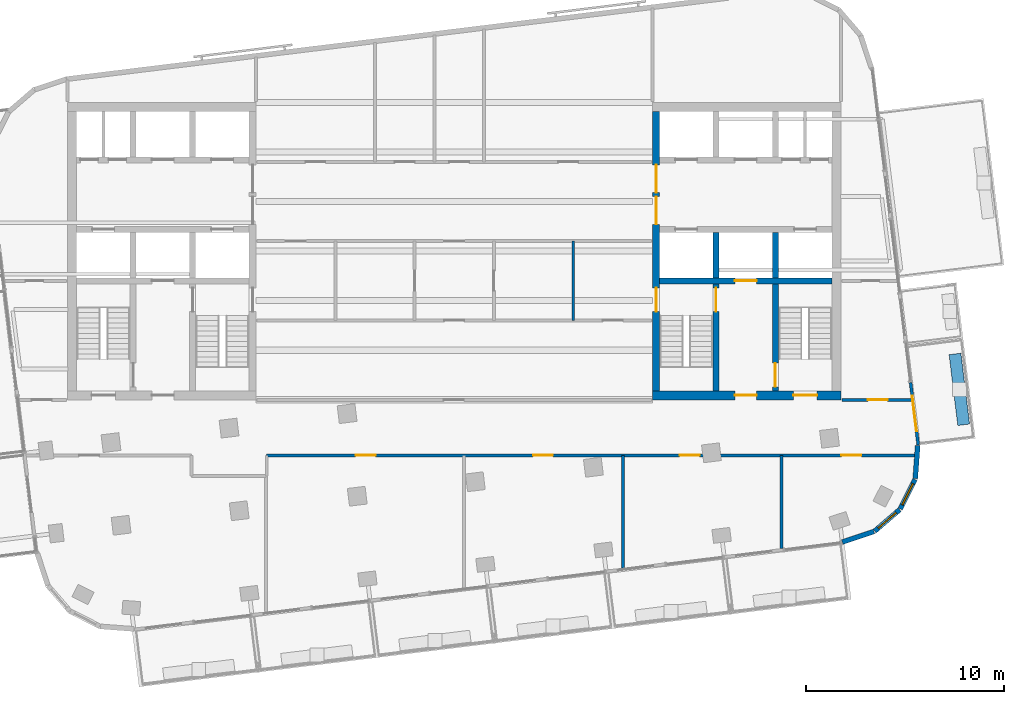
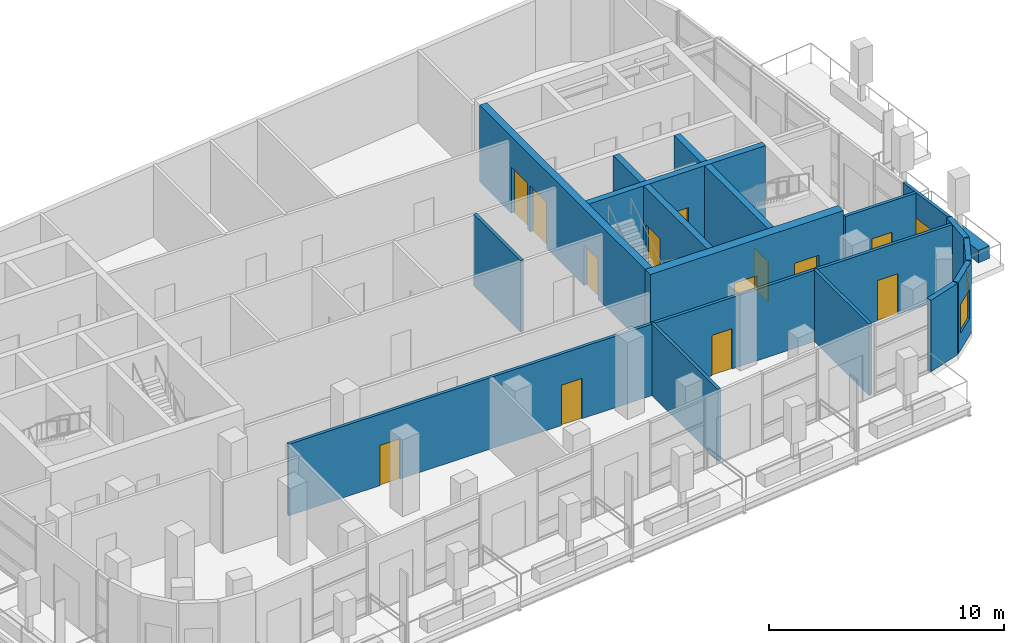
# One storey, part 9 of 14: 18 walls, 14 doors, 2 windows, 16 openings.
"""IFC4 building model written with IfcOpenShell, lengths in metres."""

from ifc_helpers import new_model, si_unit, direction, frame, frame_2d, origin, place, context, subcontext, project, spatial, rectangle, extrude, material, layer, layer_set, type_object, element, fill, save


model = new_model("IFC4")

# Units and contexts
model_context = context("Model", 3, precision=1e-05, world=origin(), true_north=direction((0.0, 1.0)))
body_context = subcontext(model_context, "Body", "Model", "MODEL_VIEW")
ifc_project = project(units=[si_unit("LENGTHUNIT", "METRE"), si_unit("AREAUNIT", "SQUARE_METRE"), si_unit("VOLUMEUNIT", "CUBIC_METRE"), si_unit("PLANEANGLEUNIT", "RADIAN"), si_unit("MASSUNIT", "GRAM", prefix="KILO")], contexts=[model_context])

# Site, building, storey
site_placement = place(None, origin())
site = spatial("IfcSite", under=ifc_project, at=site_placement, CompositionType="ELEMENT")
building_placement = place(site_placement, origin())
building = spatial("IfcBuilding", under=site, at=building_placement, Name="Torana Hotel and Residences", CompositionType="ELEMENT")
storey_placement = place(building_placement, frame((0.0, 0.0, 338.60009765625)))
storey = spatial("IfcBuildingStorey", under=building, at=storey_placement, Name="L89", CompositionType="ELEMENT", Elevation=338.60009765625)

# Wall, opening, door
ifc_material_1 = material(Name="Concrete C60/75", Category="concrete")
ifc_layer_1 = layer(ifc_material_1, 0.300048828125)
ifc_layer_set_1 = layer_set([ifc_layer_1], Name="CORE WALL 300 C60/75")
wall_type_1 = type_object("IfcWallType", Name="CORE WALL 300 C60/75", PredefinedType="SHEAR", material=ifc_layer_set_1)
wall_1_placement = place(storey_placement, frame((10.35009765625, -9.0, 0.0), z_axis=(0.0, 0.0, 1.0), x_axis=(1.0, 0.0, 0.0)))
wall_1 = element("IfcWall", 1, at=wall_1_placement, inside=storey, type_object=wall_type_1, Name="Core wall E band", PredefinedType="SHEAR", context=body_context, shape_type="SweptSolid", body=[
    extrude(rectangle(XDim=8.699951171875, YDim=0.300048828125, at=frame_2d((4.35009765625, 0.0))), origin(), (0.0, 0.0, 1.0), 4.0),
])
opening_1_placement = place(wall_1_placement, frame((3.800048828125, 0.0, 0.0)))
opening_1 = element("IfcOpeningElement", 2, at=opening_1_placement, cuts=wall_1, Name="Opening LD", PredefinedType="OPENING", context=body_context, shape_type="SweptSolid", body=[
    extrude(rectangle(XDim=1.10009765625, YDim=2.10009765625, at=frame_2d((0.550048828125, 1.050048828125))), frame((0.0, 0.159912109375, 0.0), z_axis=(0.0, -1.0, 0.0), x_axis=(1.0, 0.0, 0.0)), (0.0, 0.0, 1.0), 0.320068359375),
])
ifc_material_2 = material(Name="Stainless steel 316", Category="steel")
door_type_1 = type_object("IfcDoorType", Name="LIFT LANDING DOOR LD 1100x2100", OperationType="DOUBLE_DOOR_SLIDING", PredefinedType="USERDEFINED", material=ifc_material_2)
door_1_placement = place(opening_1_placement, origin())
door_1 = element("IfcDoor", 3, at=door_1_placement, inside=storey, type_object=door_type_1, Name="Lift landing door FF2 L89", ObjectType="LIFT LANDING DOOR", OperationType="DOUBLE_DOOR_SLIDING", OverallHeight=2.10009765625, OverallWidth=1.10009765625, PredefinedType="USERDEFINED", context=body_context, shape_type="SweptSolid", body=[
    extrude(rectangle(XDim=1.10009765625, YDim=2.10009765625, at=frame_2d((0.550048828125, 1.050048828125))), frame((0.0, 0.02490234375, 0.0), z_axis=(0.0, -1.0, 0.0), x_axis=(1.0, 0.0, 0.0)), (0.0, 0.0, 1.0), 0.050048828125),
])
fill(opening_1, door_1)

# Wall
wall_2_placement = place(storey_placement, frame((13.199951171875, -8.85009765625, 0.0), z_axis=(0.0, 0.0, 1.0), x_axis=(0.0, 1.0, 0.0)))
element("IfcWall", 4, at=wall_2_placement, inside=storey, type_object=wall_type_1, Name="Core wall E x3.05-S", PredefinedType="SHEAR", context=body_context, shape_type="SweptSolid", body=[
    extrude(rectangle(XDim=2.300048828125, YDim=0.300048828125, at=frame_2d((1.14990234375, 0.0))), origin(), (0.0, 0.0, 1.0), 4.0),
])

# Wall, opening, door
wall_3_placement = place(storey_placement, frame((13.199951171875, -14.550048828125, 0.0), z_axis=(0.0, 0.0, 1.0), x_axis=(0.0, 1.0, 0.0)))
wall_3 = element("IfcWall", 5, at=wall_3_placement, inside=storey, type_object=wall_type_1, Name="Core wall E x3.05-band", PredefinedType="SHEAR", context=body_context, shape_type="SweptSolid", body=[
    extrude(rectangle(XDim=5.400146484375, YDim=0.300048828125, at=frame_2d((2.7001953125, 0.0))), origin(), (0.0, 0.0, 1.0), 4.0),
])
opening_2_placement = place(wall_3_placement, frame((4.0, 0.0, 0.0)))
opening_2 = element("IfcOpeningElement", 6, at=opening_2_placement, cuts=wall_3, Name="Opening L89-17", PredefinedType="OPENING", context=body_context, shape_type="SweptSolid", body=[
    extrude(rectangle(XDim=1.199951171875, YDim=2.10009765625, at=frame_2d((0.60009765625, 1.050048828125))), frame((0.0, 0.159912109375, 0.0), z_axis=(0.0, -1.0, 0.0), x_axis=(1.0, 0.0, 0.0)), (0.0, 0.0, 1.0), 0.320068359375),
])
ifc_material_3 = material(Name="Steel S235", Category="steel")
door_type_2 = type_object("IfcDoorType", Name="STAIR FIRE DOOR D3 1200x2100", OperationType="SINGLE_SWING_LEFT", PredefinedType="DOOR", material=ifc_material_3)
door_2_placement = place(opening_2_placement, origin())
door_2 = element("IfcDoor", 7, at=door_2_placement, inside=storey, type_object=door_type_2, Name="Stair-A-lobby door L89", OperationType="SINGLE_SWING_LEFT", OverallHeight=2.10009765625, OverallWidth=1.199951171875, PredefinedType="DOOR", context=body_context, shape_type="SweptSolid", body=[
    extrude(rectangle(XDim=1.199951171875, YDim=2.10009765625, at=frame_2d((0.60009765625, 1.050048828125))), frame((0.0, 0.02490234375, 0.0), z_axis=(0.0, -1.0, 0.0), x_axis=(1.0, 0.0, 0.0)), (0.0, 0.0, 1.0), 0.050048828125),
])
fill(opening_2, door_2)

# Wall
wall_4_placement = place(storey_placement, frame((16.199951171875, -8.85009765625, 0.0), z_axis=(0.0, 0.0, 1.0), x_axis=(0.0, 1.0, 0.0)))
element("IfcWall", 8, at=wall_4_placement, inside=storey, type_object=wall_type_1, Name="Core wall E x6.05-S", PredefinedType="SHEAR", context=body_context, shape_type="SweptSolid", body=[
    extrude(rectangle(XDim=2.300048828125, YDim=0.300048828125, at=frame_2d((1.14990234375, 0.0))), origin(), (0.0, 0.0, 1.0), 4.0),
])

# Wall, opening, door
wall_5_placement = place(storey_placement, frame((16.199951171875, -14.550048828125, 0.0), z_axis=(0.0, 0.0, 1.0), x_axis=(0.0, 1.0, 0.0)))
wall_5 = element("IfcWall", 9, at=wall_5_placement, inside=storey, type_object=wall_type_1, Name="Core wall E x6.05-band", PredefinedType="SHEAR", context=body_context, shape_type="SweptSolid", body=[
    extrude(rectangle(XDim=5.400146484375, YDim=0.300048828125, at=frame_2d((2.7001953125, 0.0))), origin(), (0.0, 0.0, 1.0), 4.0),
])
opening_3_placement = place(wall_5_placement, frame((0.199951171875, 0.0, 0.0)))
opening_3 = element("IfcOpeningElement", 10, at=opening_3_placement, cuts=wall_5, Name="Opening L89-18", PredefinedType="OPENING", context=body_context, shape_type="SweptSolid", body=[
    extrude(rectangle(XDim=1.199951171875, YDim=2.10009765625, at=frame_2d((0.60009765625, 1.050048828125))), frame((0.0, 0.159912109375, 0.0), z_axis=(0.0, -1.0, 0.0), x_axis=(1.0, 0.0, 0.0)), (0.0, 0.0, 1.0), 0.320068359375),
])
door_3_placement = place(opening_3_placement, frame((0.60009765625, 0.0, 0.0), z_axis=(0.0, 0.0, 1.0), x_axis=(-1.0, 0.0, 0.0)))
door_3 = element("IfcDoor", 11, at=door_3_placement, inside=storey, type_object=door_type_2, Name="Stair-B-lobby door L89", OperationType="SINGLE_SWING_LEFT", OverallHeight=2.10009765625, OverallWidth=1.199951171875, PredefinedType="DOOR", context=body_context, shape_type="SweptSolid", body=[
    extrude(rectangle(XDim=1.199951171875, YDim=2.10009765625, at=frame_2d((0.0, 1.050048828125))), frame((0.0, -0.02490234375, 0.0), z_axis=(0.0, 1.0, 0.0), x_axis=(-1.0, 0.0, 0.0)), (0.0, 0.0, 1.0), 0.050048828125),
])
fill(opening_3, door_3)

# Wall, openings, doors
ifc_material_4 = material(Name="Concrete C60/75", Category="concrete")
ifc_layer_2 = layer(ifc_material_4, 0.35009765625)
ifc_layer_set_2 = layer_set([ifc_layer_2], Name="CORE WALL 350 C60/75")
wall_type_2 = type_object("IfcWallType", Name="CORE WALL 350 C60/75", PredefinedType="SHEAR", material=ifc_layer_set_2)
wall_6_placement = place(storey_placement, frame((10.175048828125, -14.550048828125, 0.0), z_axis=(0.0, 0.0, 1.0), x_axis=(0.0, 1.0, 0.0)))
wall_6 = element("IfcWall", 12, at=wall_6_placement, inside=storey, type_object=wall_type_2, Name="Core wall E arch", PredefinedType="SHEAR", context=body_context, shape_type="SweptSolid", body=[
    extrude(rectangle(XDim=14.10009765625, YDim=0.35009765625, at=frame_2d((7.050048828125, 0.0))), origin(), (0.0, 0.0, 1.0), 4.0),
])
opening_4_placement = place(wall_6_placement, frame((8.39990234375, 0.0, 0.0)))
opening_4 = element("IfcOpeningElement", 13, at=opening_4_placement, cuts=wall_6, Name="Opening L89-10", PredefinedType="OPENING", context=body_context, shape_type="SweptSolid", body=[
    extrude(rectangle(XDim=1.39990234375, YDim=2.39990234375, at=frame_2d((0.699951171875, 1.199951171875))), frame((0.0, 0.18505859375, 0.0), z_axis=(0.0, -1.0, 0.0), x_axis=(1.0, 0.0, 0.0)), (0.0, 0.0, 1.0), 0.3701171875),
])
opening_5_placement = place(wall_6_placement, frame((10.0, 0.0, 0.0)))
opening_5 = element("IfcOpeningElement", 14, at=opening_5_placement, cuts=wall_6, Name="Opening L89-11", PredefinedType="OPENING", context=body_context, shape_type="SweptSolid", body=[
    extrude(rectangle(XDim=1.39990234375, YDim=2.39990234375, at=frame_2d((0.699951171875, 1.199951171875))), frame((0.0, 0.18505859375, 0.0), z_axis=(0.0, -1.0, 0.0), x_axis=(1.0, 0.0, 0.0)), (0.0, 0.0, 1.0), 0.3701171875),
])
opening_6_placement = place(wall_6_placement, frame((4.0, 0.0, 0.0)))
opening_6 = element("IfcOpeningElement", 15, at=opening_6_placement, cuts=wall_6, Name="Opening L89-12", PredefinedType="OPENING", context=body_context, shape_type="SweptSolid", body=[
    extrude(rectangle(XDim=1.199951171875, YDim=2.10009765625, at=frame_2d((0.60009765625, 1.050048828125))), frame((0.0, 0.18505859375, 0.0), z_axis=(0.0, -1.0, 0.0), x_axis=(1.0, 0.0, 0.0)), (0.0, 0.0, 1.0), 0.3701171875),
])
ifc_material_5 = material(Name="Steel S235", Category="steel")
door_type_3 = type_object("IfcDoorType", Name="LOBBY FIRE DOOR D4 1400x2400", OperationType="DOUBLE_DOOR_SINGLE_SWING", PredefinedType="DOOR", material=ifc_material_5)
door_4_placement = place(opening_4_placement, origin())
door_4 = element("IfcDoor", 16, at=door_4_placement, inside=storey, type_object=door_type_3, Name="Lobby-1 door L89", OperationType="DOUBLE_DOOR_SINGLE_SWING", OverallHeight=2.39990234375, OverallWidth=1.39990234375, PredefinedType="DOOR", context=body_context, shape_type="SweptSolid", body=[
    extrude(rectangle(XDim=1.39990234375, YDim=2.39990234375, at=frame_2d((0.699951171875, 1.199951171875))), frame((0.0, 0.02490234375, 0.0), z_axis=(0.0, -1.0, 0.0), x_axis=(1.0, 0.0, 0.0)), (0.0, 0.0, 1.0), 0.050048828125),
])
fill(opening_4, door_4)
door_5_placement = place(opening_5_placement, origin())
door_5 = element("IfcDoor", 17, at=door_5_placement, inside=storey, type_object=door_type_3, Name="Lobby-2 door L89", OperationType="DOUBLE_DOOR_SINGLE_SWING", OverallHeight=2.39990234375, OverallWidth=1.39990234375, PredefinedType="DOOR", context=body_context, shape_type="SweptSolid", body=[
    extrude(rectangle(XDim=1.39990234375, YDim=2.39990234375, at=frame_2d((0.699951171875, 1.199951171875))), frame((0.0, 0.02490234375, 0.0), z_axis=(0.0, -1.0, 0.0), x_axis=(1.0, 0.0, 0.0)), (0.0, 0.0, 1.0), 0.050048828125),
])
fill(opening_5, door_5)
door_6_placement = place(opening_6_placement, frame((0.60009765625, 0.0, 0.0), z_axis=(0.0, 0.0, 1.0), x_axis=(-1.0, 0.0, 0.0)))
door_6 = element("IfcDoor", 18, at=door_6_placement, inside=storey, type_object=door_type_2, Name="Stair-A door L89", OperationType="SINGLE_SWING_RIGHT", OverallHeight=2.10009765625, OverallWidth=1.199951171875, PredefinedType="DOOR", context=body_context, shape_type="SweptSolid", body=[
    extrude(rectangle(XDim=1.199951171875, YDim=2.10009765625, at=frame_2d((0.0, 1.050048828125))), frame((0.0, -0.02490234375, 0.0), z_axis=(0.0, 1.0, 0.0), x_axis=(-1.0, 0.0, 0.0)), (0.0, 0.0, 1.0), 0.050048828125),
])
fill(opening_6, door_6)

ifc_material_6 = material(Name="Concrete C60/75", Category="concrete")
ifc_layer_3 = layer(ifc_material_6, 0.449951171875)
ifc_layer_set_3 = layer_set([ifc_layer_3], Name="CORE WALL 450 C60/75")
wall_type_3 = type_object("IfcWallType", Name="CORE WALL 450 C60/75", PredefinedType="SHEAR", material=ifc_layer_set_3)
wall_7_placement = place(storey_placement, frame((10.0, -14.77490234375, 0.0), z_axis=(0.0, 0.0, 1.0), x_axis=(1.0, 0.0, 0.0)))
wall_7 = element("IfcWall", 19, at=wall_7_placement, inside=storey, type_object=wall_type_3, Name="Core wall E front", PredefinedType="SHEAR", context=body_context, shape_type="SweptSolid", body=[
    extrude(rectangle(XDim=9.5, YDim=0.449951171875, at=frame_2d((4.75, 0.0))), origin(), (0.0, 0.0, 1.0), 4.0),
])
opening_7_placement = place(wall_7_placement, frame((7.10009765625, 0.0, 0.0)))
opening_7 = element("IfcOpeningElement", 20, at=opening_7_placement, cuts=wall_7, Name="Opening L89-13", PredefinedType="OPENING", context=body_context, shape_type="SweptSolid", body=[
    extrude(rectangle(XDim=1.199951171875, YDim=2.10009765625, at=frame_2d((0.60009765625, 1.050048828125))), frame((0.0, 0.23486328125, 0.0), z_axis=(0.0, -1.0, 0.0), x_axis=(1.0, 0.0, 0.0)), (0.0, 0.0, 1.0), 0.469970703125),
])
opening_8_placement = place(wall_7_placement, frame((4.14990234375, 0.0, 0.0)))
opening_8 = element("IfcOpeningElement", 21, at=opening_8_placement, cuts=wall_7, Name="Opening L89-14", PredefinedType="OPENING", context=body_context, shape_type="SweptSolid", body=[
    extrude(rectangle(XDim=1.10009765625, YDim=2.10009765625, at=frame_2d((0.550048828125, 1.050048828125))), frame((0.0, 0.23486328125, 0.0), z_axis=(0.0, -1.0, 0.0), x_axis=(1.0, 0.0, 0.0)), (0.0, 0.0, 1.0), 0.469970703125),
])
ifc_material_7 = material(Name="Steel S235", Category="steel")
door_type_4 = type_object("IfcDoorType", Name="FIRE-FIGHTING LOBBY DOOR D8 1100x2100", OperationType="SINGLE_SWING_LEFT", PredefinedType="DOOR", material=ifc_material_7)
door_7_placement = place(opening_8_placement, origin())
door_7 = element("IfcDoor", 22, at=door_7_placement, inside=storey, type_object=door_type_4, Name="FF-lobby door L89", OperationType="SINGLE_SWING_RIGHT", OverallHeight=2.10009765625, OverallWidth=1.10009765625, PredefinedType="DOOR", context=body_context, shape_type="SweptSolid", body=[
    extrude(rectangle(XDim=1.10009765625, YDim=2.10009765625, at=frame_2d((0.550048828125, 1.050048828125))), frame((0.0, 0.02490234375, 0.0), z_axis=(0.0, -1.0, 0.0), x_axis=(1.0, 0.0, 0.0)), (0.0, 0.0, 1.0), 0.050048828125),
])
fill(opening_8, door_7)
door_8_placement = place(opening_7_placement, origin())
door_8 = element("IfcDoor", 23, at=door_8_placement, inside=storey, type_object=door_type_2, Name="Stair-B door L89", OperationType="SINGLE_SWING_RIGHT", OverallHeight=2.10009765625, OverallWidth=1.199951171875, PredefinedType="DOOR", context=body_context, shape_type="SweptSolid", body=[
    extrude(rectangle(XDim=1.199951171875, YDim=2.10009765625, at=frame_2d((0.60009765625, 1.050048828125))), frame((0.0, 0.02490234375, 0.0), z_axis=(0.0, -1.0, 0.0), x_axis=(1.0, 0.0, 0.0)), (0.0, 0.0, 1.0), 0.050048828125),
])
fill(opening_7, door_8)

# Wall
ifc_material_8 = material(Name="Black aluminium composite panel", Category="aluminium")
ifc_layer_4 = layer(ifc_material_8, 0.00390625, Name="Cladding", Category="cladding")
ifc_material_9 = material(Name="Ventilated air cavity")
ifc_layer_5 = layer(ifc_material_9, 0.0400390625, Name="Ventilated cavity", Category="cavity")
ifc_material_10 = material(Name="Mineral wool insulation")
ifc_layer_6 = layer(ifc_material_10, 0.090087890625, Name="Insulation", Category="insulation")
ifc_material_11 = material(Name="Steel S280GD", Category="steel")
ifc_layer_7 = layer(ifc_material_11, 0.092041015625, Name="Steel stud frame", Category="structure")
ifc_material_12 = material(Name="Fire rated plasterboard")
ifc_layer_8 = layer(ifc_material_12, 0.011962890625, Name="Inner board", Category="finish")
ifc_layer_9 = layer(ifc_material_12, 0.011962890625, Name="Second board", Category="finish")
ifc_layer_set_4 = layer_set([ifc_layer_4, ifc_layer_5, ifc_layer_6, ifc_layer_7, ifc_layer_8, ifc_layer_9], Name="EW1 EXTERNAL WALL BLACK METAL CLAD 250")
wall_type_4 = type_object("IfcWallType", Name="EW1 EXTERNAL WALL BLACK METAL CLAD 250", PredefinedType="SOLIDWALL", material=ifc_layer_set_4)
wall_8_placement = place(storey_placement, frame((19.568359375, -22.1748046875, 0.0), z_axis=(0.0, 0.0, 1.0), x_axis=(0.949694735798, 0.313177120489, 0.0)))
element("IfcWall", 24, at=wall_8_placement, inside=storey, type_object=wall_type_4, Name="External wall L89 e0.15", PredefinedType="SOLIDWALL", context=body_context, shape_type="SweptSolid", body=[
    extrude(rectangle(XDim=1.681396484375, YDim=0.25, at=frame_2d((0.8408203125, 0.0))), origin(), (0.0, 0.0, 1.0), 3.719970703125),
])

# Wall, opening, window
wall_9_placement = place(storey_placement, frame((21.207763671875, -21.624267578125, 0.0), z_axis=(0.0, 0.0, 1.0), x_axis=(0.757568315466, 0.652755886531, 0.0)))
wall_9 = element("IfcWall", 25, at=wall_9_placement, inside=storey, type_object=wall_type_4, Name="External wall L89 e0.16", PredefinedType="SOLIDWALL", context=body_context, shape_type="SweptSolid", body=[
    extrude(rectangle(XDim=1.65625, YDim=0.25, at=frame_2d((0.828125, 0.0))), origin(), (0.0, 0.0, 1.0), 3.719970703125),
])
opening_9_placement = place(wall_9_placement, frame((0.228271484375, 0.0, 0.89990234375)))
opening_9 = element("IfcOpeningElement", 26, at=opening_9_placement, cuts=wall_9, Name="Opening W5", PredefinedType="OPENING", context=body_context, shape_type="SweptSolid", body=[
    extrude(rectangle(XDim=1.199951171875, YDim=1.5, at=frame_2d((0.60009765625, 0.75))), frame((0.0, 0.135009765625, 0.0), z_axis=(0.0, -1.0, 0.0), x_axis=(1.0, 0.0, 0.0)), (0.0, 0.0, 1.0), 0.27001953125),
])
ifc_material_13 = material(Name="Dark glass in black aluminium frame", Category="aluminium")
window_type = type_object("IfcWindowType", Name="W5 CORNER FACET WINDOW 1200x1500", PartitioningType="SINGLE_PANEL", PredefinedType="WINDOW", material=ifc_material_13)
window_1_placement = place(opening_9_placement, origin())
window_1 = element("IfcWindow", 27, at=window_1_placement, inside=storey, type_object=window_type, Name="Window L89 e0.16", OverallHeight=1.5, OverallWidth=1.199951171875, PartitioningType="SINGLE_PANEL", PredefinedType="WINDOW", context=body_context, shape_type="SweptSolid", body=[
    extrude(rectangle(XDim=1.199951171875, YDim=1.5, at=frame_2d((0.60009765625, 0.75))), frame((0.0, 0.030029296875, 0.0), z_axis=(0.0, -1.0, 0.0), x_axis=(1.0, 0.0, 0.0)), (0.0, 0.0, 1.0), 0.06005859375),
])
fill(opening_9, window_1)

wall_10_placement = place(storey_placement, frame((22.49267578125, -20.504638671875, 0.0), z_axis=(0.0, 0.0, 1.0), x_axis=(0.449982385812, 0.893037430604, 0.0)))
wall_10 = element("IfcWall", 28, at=wall_10_placement, inside=storey, type_object=wall_type_4, Name="External wall L89 e0.17", PredefinedType="SOLIDWALL", context=body_context, shape_type="SweptSolid", body=[
    extrude(rectangle(XDim=1.656494140625, YDim=0.25, at=frame_2d((0.828125, 0.0))), origin(), (0.0, 0.0, 1.0), 3.719970703125),
])
opening_10_placement = place(wall_10_placement, frame((0.228271484375, 0.0, 0.89990234375)))
opening_10 = element("IfcOpeningElement", 29, at=opening_10_placement, cuts=wall_10, Name="Opening W5", PredefinedType="OPENING", context=body_context, shape_type="SweptSolid", body=[
    extrude(rectangle(XDim=1.199951171875, YDim=1.5, at=frame_2d((0.60009765625, 0.75))), frame((0.0, 0.135009765625, 0.0), z_axis=(0.0, -1.0, 0.0), x_axis=(1.0, 0.0, 0.0)), (0.0, 0.0, 1.0), 0.27001953125),
])
window_2_placement = place(opening_10_placement, origin())
window_2 = element("IfcWindow", 30, at=window_2_placement, inside=storey, type_object=window_type, Name="Window L89 e0.17", OverallHeight=1.5, OverallWidth=1.199951171875, PartitioningType="SINGLE_PANEL", PredefinedType="WINDOW", context=body_context, shape_type="SweptSolid", body=[
    extrude(rectangle(XDim=1.199951171875, YDim=1.5, at=frame_2d((0.60009765625, 0.75))), frame((0.0, 0.030029296875, 0.0), z_axis=(0.0, -1.0, 0.0), x_axis=(1.0, 0.0, 0.0)), (0.0, 0.0, 1.0), 0.06005859375),
])
fill(opening_10, window_2)

# Wall
wall_11_placement = place(storey_placement, frame((23.251220703125, -18.978515625, 0.0), z_axis=(0.0, 0.0, 1.0), x_axis=(0.074053534713, 0.997254267475, 0.0)))
element("IfcWall", 31, at=wall_11_placement, inside=storey, type_object=wall_type_4, Name="External wall L89 e0.18", PredefinedType="SOLIDWALL", context=body_context, shape_type="SweptSolid", body=[
    extrude(rectangle(XDim=1.681396484375, YDim=0.25, at=frame_2d((0.8408203125, 0.0))), origin(), (0.0, 0.0, 1.0), 3.719970703125),
])

# Wall, openings, doors
ifc_material_14 = material(Name="Gypsum plaster")
ifc_layer_10 = layer(ifc_material_14, 0.014892578125, Name="Plaster", Category="finish")
ifc_material_15 = material(Name="Concrete blockwork", Category="masonry")
ifc_layer_11 = layer(ifc_material_15, 0.1201171875, Name="Blockwork", Category="structure")
ifc_layer_12 = layer(ifc_material_14, 0.014892578125, Name="Plaster", Category="finish")
ifc_layer_set_5 = layer_set([ifc_layer_10, ifc_layer_11, ifc_layer_12], Name="FIRE PARTITION 150 BLOCKWORK")
wall_type_5 = type_object("IfcWallType", Name="FIRE PARTITION 150 BLOCKWORK", PredefinedType="PARTITIONING", material=ifc_layer_set_5)
wall_12_placement = place(storey_placement, frame((-9.4609375, -17.800048828125, 0.0), z_axis=(0.0, 0.0, 1.0), x_axis=(1.0, 0.0, 0.0)))
wall_12 = element("IfcWall", 32, at=wall_12_placement, inside=storey, type_object=wall_type_5, Name="Partition L89", PredefinedType="PARTITIONING", context=body_context, shape_type="SweptSolid", body=[
    extrude(rectangle(XDim=32.744384765625, YDim=0.14990234375, at=frame_2d((16.3720703125, 0.0))), origin(), (0.0, 0.0, 1.0), 3.719970703125),
])
opening_11_placement = place(wall_12_placement, frame((4.489013671875, 0.0, 0.0)))
opening_11 = element("IfcOpeningElement", 33, at=opening_11_placement, cuts=wall_12, Name="Opening L89-21", PredefinedType="OPENING", context=body_context, shape_type="SweptSolid", body=[
    extrude(rectangle(XDim=1.0, YDim=2.10009765625, at=frame_2d((0.5, 1.050048828125))), frame((0.0, 0.0849609375, 0.0), z_axis=(0.0, -1.0, 0.0), x_axis=(1.0, 0.0, 0.0)), (0.0, 0.0, 1.0), 0.169921875),
])
opening_12_placement = place(wall_12_placement, frame((13.43896484375, 0.0, 0.0)))
opening_12 = element("IfcOpeningElement", 34, at=opening_12_placement, cuts=wall_12, Name="Opening L89-22", PredefinedType="OPENING", context=body_context, shape_type="SweptSolid", body=[
    extrude(rectangle(XDim=1.0, YDim=2.10009765625, at=frame_2d((0.5, 1.050048828125))), frame((0.0, 0.0849609375, 0.0), z_axis=(0.0, -1.0, 0.0), x_axis=(1.0, 0.0, 0.0)), (0.0, 0.0, 1.0), 0.169921875),
])
opening_13_placement = place(wall_12_placement, frame((20.83056640625, 0.0, 0.0)))
opening_13 = element("IfcOpeningElement", 35, at=opening_13_placement, cuts=wall_12, Name="Opening L89-23", PredefinedType="OPENING", context=body_context, shape_type="SweptSolid", body=[
    extrude(rectangle(XDim=1.0, YDim=2.10009765625, at=frame_2d((0.5, 1.050048828125))), frame((0.0, 0.0849609375, 0.0), z_axis=(0.0, -1.0, 0.0), x_axis=(1.0, 0.0, 0.0)), (0.0, 0.0, 1.0), 0.169921875),
])
opening_14_placement = place(wall_12_placement, frame((28.988525390625, 0.0, 0.0)))
opening_14 = element("IfcOpeningElement", 36, at=opening_14_placement, cuts=wall_12, Name="Opening L89-24", PredefinedType="OPENING", context=body_context, shape_type="SweptSolid", body=[
    extrude(rectangle(XDim=1.0, YDim=2.10009765625, at=frame_2d((0.5, 1.050048828125))), frame((0.0, 0.0849609375, 0.0), z_axis=(0.0, -1.0, 0.0), x_axis=(1.0, 0.0, 0.0)), (0.0, 0.0, 1.0), 0.169921875),
])
ifc_material_16 = material(Name="Steel S235", Category="steel")
door_type_5 = type_object("IfcDoorType", Name="ENTRY FIRE DOOR D6 1000x2100", OperationType="SINGLE_SWING_LEFT", PredefinedType="DOOR", material=ifc_material_16)
door_9_placement = place(opening_11_placement, frame((0.5, 0.0, 0.0), z_axis=(0.0, 0.0, 1.0), x_axis=(-1.0, 0.0, 0.0)))
door_9 = element("IfcDoor", 37, at=door_9_placement, inside=storey, type_object=door_type_5, Name="Door L89", OperationType="SINGLE_SWING_LEFT", OverallHeight=2.10009765625, OverallWidth=1.0, PredefinedType="DOOR", context=body_context, shape_type="SweptSolid", body=[
    extrude(rectangle(XDim=1.0, YDim=2.10009765625, at=frame_2d((0.0, 1.050048828125))), frame((0.0, -0.02490234375, 0.0), z_axis=(0.0, 1.0, 0.0), x_axis=(-1.0, 0.0, 0.0)), (0.0, 0.0, 1.0), 0.050048828125),
])
fill(opening_11, door_9)
door_10_placement = place(opening_12_placement, frame((0.5, 0.0, 0.0), z_axis=(0.0, 0.0, 1.0), x_axis=(-1.0, 0.0, 0.0)))
door_10 = element("IfcDoor", 38, at=door_10_placement, inside=storey, type_object=door_type_5, Name="Door L89", OperationType="SINGLE_SWING_LEFT", OverallHeight=2.10009765625, OverallWidth=1.0, PredefinedType="DOOR", context=body_context, shape_type="SweptSolid", body=[
    extrude(rectangle(XDim=1.0, YDim=2.10009765625, at=frame_2d((0.0, 1.050048828125))), frame((0.0, -0.02490234375, 0.0), z_axis=(0.0, 1.0, 0.0), x_axis=(-1.0, 0.0, 0.0)), (0.0, 0.0, 1.0), 0.050048828125),
])
fill(opening_12, door_10)
door_11_placement = place(opening_13_placement, frame((0.5, 0.0, 0.0), z_axis=(0.0, 0.0, 1.0), x_axis=(-1.0, 0.0, 0.0)))
door_11 = element("IfcDoor", 39, at=door_11_placement, inside=storey, type_object=door_type_5, Name="Door L89", OperationType="SINGLE_SWING_RIGHT", OverallHeight=2.10009765625, OverallWidth=1.0, PredefinedType="DOOR", context=body_context, shape_type="SweptSolid", body=[
    extrude(rectangle(XDim=1.0, YDim=2.10009765625, at=frame_2d((0.0, 1.050048828125))), frame((0.0, -0.02490234375, 0.0), z_axis=(0.0, 1.0, 0.0), x_axis=(-1.0, 0.0, 0.0)), (0.0, 0.0, 1.0), 0.050048828125),
])
fill(opening_13, door_11)
door_12_placement = place(opening_14_placement, frame((0.5, 0.0, 0.0), z_axis=(0.0, 0.0, 1.0), x_axis=(-1.0, 0.0, 0.0)))
door_12 = element("IfcDoor", 40, at=door_12_placement, inside=storey, type_object=door_type_5, Name="Door L89", OperationType="SINGLE_SWING_LEFT", OverallHeight=2.10009765625, OverallWidth=1.0, PredefinedType="DOOR", context=body_context, shape_type="SweptSolid", body=[
    extrude(rectangle(XDim=1.0, YDim=2.10009765625, at=frame_2d((0.0, 1.050048828125))), frame((0.0, -0.02490234375, 0.0), z_axis=(0.0, 1.0, 0.0), x_axis=(-1.0, 0.0, 0.0)), (0.0, 0.0, 1.0), 0.050048828125),
])
fill(opening_14, door_12)

# Wall, opening, door
wall_13_placement = place(storey_placement, frame((19.550048828125, -15.0, 0.0), z_axis=(0.0, 0.0, 1.0), x_axis=(1.0, 0.0, 0.0)))
wall_13 = element("IfcWall", 41, at=wall_13_placement, inside=storey, type_object=wall_type_5, Name="Partition L89", PredefinedType="PARTITIONING", context=body_context, shape_type="SweptSolid", body=[
    extrude(rectangle(XDim=3.489990234375, YDim=0.14990234375, at=frame_2d((1.7451171875, 0.0))), origin(), (0.0, 0.0, 1.0), 3.719970703125),
])
opening_15_placement = place(wall_13_placement, frame((1.31103515625, 0.0, 0.0)))
opening_15 = element("IfcOpeningElement", 42, at=opening_15_placement, cuts=wall_13, Name="Opening L89-26", PredefinedType="OPENING", context=body_context, shape_type="SweptSolid", body=[
    extrude(rectangle(XDim=1.0, YDim=2.10009765625, at=frame_2d((0.5, 1.050048828125))), frame((0.0, 0.0849609375, 0.0), z_axis=(0.0, -1.0, 0.0), x_axis=(1.0, 0.0, 0.0)), (0.0, 0.0, 1.0), 0.169921875),
])
ifc_material_17 = material(Name="Steel S235", Category="steel")
door_type_6 = type_object("IfcDoorType", Name="CORE ROOM FIRE DOOR D14 1000x2100", OperationType="SINGLE_SWING_LEFT", PredefinedType="DOOR", material=ifc_material_17)
door_13_placement = place(opening_15_placement, origin())
door_13 = element("IfcDoor", 43, at=door_13_placement, inside=storey, type_object=door_type_6, Name="Door L89", OperationType="SINGLE_SWING_LEFT", OverallHeight=2.10009765625, OverallWidth=1.0, PredefinedType="DOOR", context=body_context, shape_type="SweptSolid", body=[
    extrude(rectangle(XDim=1.0, YDim=2.10009765625, at=frame_2d((0.5, 1.050048828125))), frame((0.0, 0.02490234375, 0.0), z_axis=(0.0, -1.0, 0.0), x_axis=(1.0, 0.0, 0.0)), (0.0, 0.0, 1.0), 0.050048828125),
])
fill(opening_15, door_13)

ifc_material_18 = material(Name="Dark glass screen in aluminium frame", Category="aluminium")
ifc_layer_13 = layer(ifc_material_18, 0.14990234375)
ifc_layer_set_6 = layer_set([ifc_layer_13], Name="GS1 GLAZED DOOR SCREEN 150")
wall_type_6 = type_object("IfcWallType", Name="GS1 GLAZED DOOR SCREEN 150", PredefinedType="USERDEFINED", material=ifc_layer_set_6)
wall_14_placement = place(storey_placement, frame((23.39990234375, -17.274169921875, 0.0), z_axis=(0.0, 0.0, 1.0), x_axis=(-0.121858082248, 0.992547534273, 0.0)))
wall_14 = element("IfcWall", 44, at=wall_14_placement, inside=storey, type_object=wall_type_6, Name="Glazed door screen L89", ObjectType="GLAZED SCREEN", PredefinedType="USERDEFINED", context=body_context, shape_type="SweptSolid", body=[
    extrude(rectangle(XDim=3.175537109375, YDim=0.14990234375, at=frame_2d((1.587890625, 0.0))), origin(), (0.0, 0.0, 1.0), 3.719970703125),
])
opening_16_placement = place(wall_14_placement, frame((0.687744140625, 0.0, 0.0)))
opening_16 = element("IfcOpeningElement", 45, at=opening_16_placement, cuts=wall_14, Name="Opening L89-E10", PredefinedType="OPENING", context=body_context, shape_type="SweptSolid", body=[
    extrude(rectangle(XDim=1.800048828125, YDim=2.39990234375, at=frame_2d((0.89990234375, 1.199951171875))), frame((0.0, 0.0849609375, 0.0), z_axis=(0.0, -1.0, 0.0), x_axis=(1.0, 0.0, 0.0)), (0.0, 0.0, 1.0), 0.169921875),
])
ifc_material_19 = material(Name="Dark glass in black aluminium frame", Category="aluminium")
door_type_7 = type_object("IfcDoorType", Name="DB1 BALCONY DOOR 1800x2400", OperationType="DOUBLE_DOOR_SINGLE_SWING", PredefinedType="DOOR", material=ifc_material_19)
door_14_placement = place(opening_16_placement, origin())
door_14 = element("IfcDoor", 46, at=door_14_placement, inside=storey, type_object=door_type_7, Name="Balcony door L89", OperationType="DOUBLE_DOOR_SINGLE_SWING", OverallHeight=2.39990234375, OverallWidth=1.800048828125, PredefinedType="DOOR", context=body_context, shape_type="SweptSolid", body=[
    extrude(rectangle(XDim=1.800048828125, YDim=2.39990234375, at=frame_2d((0.89990234375, 1.199951171875))), frame((0.0, 0.02490234375, 0.0), z_axis=(0.0, -1.0, 0.0), x_axis=(1.0, 0.0, 0.0)), (0.0, 0.0, 1.0), 0.050048828125),
])
fill(opening_16, door_14)

# Walls
ifc_material_20 = material(Name="Gypsum plasterboard")
ifc_layer_14 = layer(ifc_material_20, 0.012451171875, Name="Plasterboard", Category="finish")
ifc_layer_15 = layer(ifc_material_20, 0.012451171875, Name="Plasterboard", Category="finish")
ifc_layer_16 = layer(ifc_material_11, 0.10009765625, Name="Steel studs with mineral wool", Category="insulation")
ifc_layer_17 = layer(ifc_material_20, 0.012451171875, Name="Plasterboard", Category="finish")
ifc_layer_18 = layer(ifc_material_20, 0.012451171875, Name="Plasterboard", Category="finish")
ifc_layer_set_7 = layer_set([ifc_layer_14, ifc_layer_15, ifc_layer_16, ifc_layer_17, ifc_layer_18], Name="PARTITION 150 PLASTERBOARD")
wall_type_7 = type_object("IfcWallType", Name="PARTITION 150 PLASTERBOARD", PredefinedType="PARTITIONING", material=ifc_layer_set_7)
wall_15_placement = place(storey_placement, frame((16.498046875, -22.498779296875, 0.0), z_axis=(0.0, 0.0, 1.0), x_axis=(0.0, 1.0, 0.0)))
element("IfcWall", 47, at=wall_15_placement, inside=storey, type_object=wall_type_7, Name="Partition L89", PredefinedType="PARTITIONING", context=body_context, shape_type="SweptSolid", body=[
    extrude(rectangle(XDim=4.69873046875, YDim=0.14990234375, at=frame_2d((2.349365234375, 0.0))), origin(), (0.0, 0.0, 1.0), 3.719970703125),
])
wall_16_placement = place(storey_placement, frame((8.498046875, -23.481201171875, 0.0), z_axis=(0.0, 0.0, 1.0), x_axis=(0.0, 1.0, 0.0)))
element("IfcWall", 48, at=wall_16_placement, inside=storey, type_object=wall_type_7, Name="Partition L89", PredefinedType="PARTITIONING", context=body_context, shape_type="SweptSolid", body=[
    extrude(rectangle(XDim=5.68115234375, YDim=0.14990234375, at=frame_2d((2.840576171875, 0.0))), origin(), (0.0, 0.0, 1.0), 3.719970703125),
])
wall_17_placement = place(storey_placement, frame((6.0, -11.0, 0.0), z_axis=(0.0, 0.0, 1.0), x_axis=(0.0, 1.0, 0.0)))
element("IfcWall", 49, at=wall_17_placement, inside=storey, type_object=wall_type_7, Name="Partition L89", PredefinedType="PARTITIONING", context=body_context, shape_type="SweptSolid", body=[
    extrude(rectangle(XDim=4.0, YDim=0.14990234375, at=frame_2d((2.0, 0.0))), origin(), (0.0, 0.0, 1.0), 3.719970703125),
])
ifc_material_21 = material(Name="Concrete C40/50 precast", Category="concrete")
ifc_layer_19 = layer(ifc_material_21, 0.10009765625, Name="Planter shell", Category="structure")
ifc_material_22 = material(Name="Root resistant membrane")
ifc_layer_20 = layer(ifc_material_22, 0.00390625, Name="Waterproofing membrane", Category="membrane")
ifc_material_23 = material(Name="Drainage board with filter fleece")
ifc_layer_21 = layer(ifc_material_23, 0.02001953125, Name="Drainage board", Category="drainage")
ifc_material_24 = material(Name="Growing medium")
ifc_layer_22 = layer(ifc_material_24, 0.47607421875, Name="Planting substrate", Category="soil")
ifc_layer_set_8 = layer_set([ifc_layer_19, ifc_layer_20, ifc_layer_21, ifc_layer_22], Name="PL1 BALCONY PLANTER 600")
wall_type_8 = type_object("IfcWallType", Name="PL1 BALCONY PLANTER 600", PredefinedType="USERDEFINED", material=ifc_layer_set_8)
wall_18_placement = place(storey_placement, frame((25.2548828125, -12.6884765625, 0.0), z_axis=(0.0, 0.0, 1.0), x_axis=(0.121864343918, -0.992546765488, 0.0)))
element("IfcWall", 50, at=wall_18_placement, inside=storey, type_object=wall_type_8, Name="Planter 10", ObjectType="PLANTER", PredefinedType="USERDEFINED", context=body_context, shape_type="SweptSolid", body=[
    extrude(rectangle(XDim=3.60009765625, YDim=0.60009765625, at=frame_2d((1.800048828125, 0.0))), origin(), (0.0, 0.0, 1.0), 0.64990234375),
])

save(model, "model.ifc")
